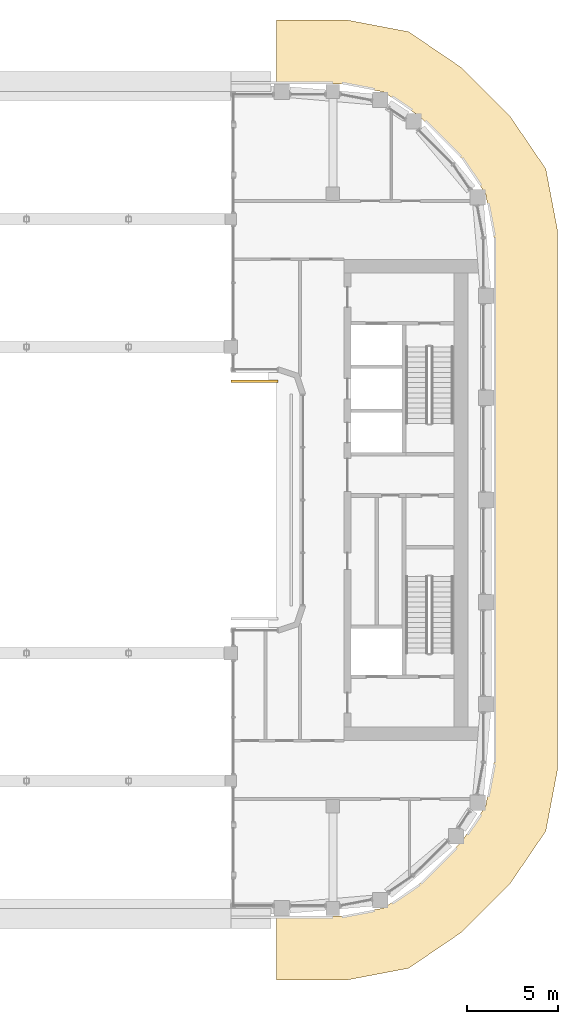
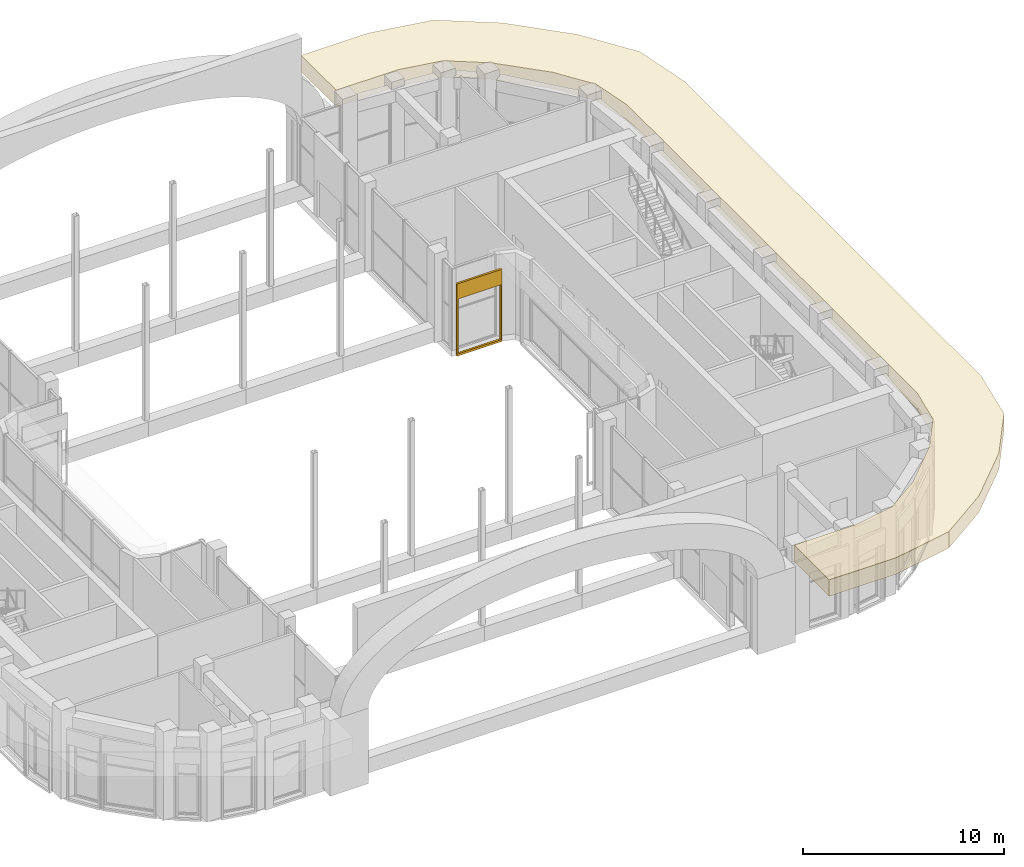
# One storey, part 24 of 26: 2 coverings.
"""IFC4 building model written with IfcOpenShell, lengths in metres."""

from ifc_helpers import new_model, si_unit, direction, frame, origin, place, context, subcontext, project, spatial, polyline, outline, extrude, material, layer, layer_set, type_object, element, save


model = new_model("IFC4")

# Units and contexts
model_context = context("Model", 3, precision=1e-05, world=origin(), true_north=direction((0.0, 1.0)))
body_context = subcontext(model_context, "Body", "Model", "MODEL_VIEW")
ifc_project = project(units=[si_unit("LENGTHUNIT", "METRE"), si_unit("AREAUNIT", "SQUARE_METRE"), si_unit("VOLUMEUNIT", "CUBIC_METRE"), si_unit("PLANEANGLEUNIT", "RADIAN"), si_unit("MASSUNIT", "GRAM", prefix="KILO")], contexts=[model_context])

# Site, building, storey
site_placement = place(None, origin())
site = spatial("IfcSite", under=ifc_project, at=site_placement, CompositionType="ELEMENT")
building_placement = place(site_placement, origin())
building = spatial("IfcBuilding", under=site, at=building_placement, Name="Kiln Ring Residences", CompositionType="ELEMENT")
storey_placement = place(building_placement, frame((0.0, 0.0, 230.89990234375)))
storey = spatial("IfcBuildingStorey", under=building, at=storey_placement, Name="L60", CompositionType="ELEMENT", Elevation=230.89990234375)

# Coverings
ifc_material_1 = material(Name="Brick masonry, dark clay brick", Category="masonry")
ifc_layer_1 = layer(ifc_material_1, 0.1201171875)
ifc_layer_set_1 = layer_set([ifc_layer_1], Name="RAINSCREEN PANEL 120")
covering_type_1 = type_object("IfcCoveringType", Name="RAINSCREEN PANEL 120", PredefinedType="CLADDING", material=ifc_layer_set_1)
covering_1_placement = place(storey_placement, frame((11.199951171875, 6.514892578125, 0.0), z_axis=(0.0, 0.0, 1.0), x_axis=(1.0, 0.0, 0.0)))
element("IfcCovering", 1, at=covering_1_placement, inside=storey, type_object=covering_type_1, Name="RAINSCREEN L60", PredefinedType="CLADDING", context=body_context, shape_type="SweptSolid", body=[
    extrude(outline(polyline([(0.0, 0.0), (2.60009765625, 0.0), (2.60009765625, 4.400146484375), (0.0, 4.400146484375), (0.0, 0.0)]), holes=[polyline([(0.080078125, 3.47021484375), (0.080078125, 0.130126953125), (2.52001953125, 0.130126953125), (2.52001953125, 3.47021484375), (0.080078125, 3.47021484375)])]), frame((0.0, 0.06005859375, 0.0), z_axis=(0.0, -1.0, 0.0), x_axis=(1.0, 0.0, 0.0)), (0.0, 0.0, 1.0), 0.1201171875),
])
ifc_material_2 = material(Name="Black powder-coated steel", Category="steel")
ifc_layer_2 = layer(ifc_material_2, 1.0)
ifc_layer_set_2 = layer_set([ifc_layer_2], Name="SUNSHADE FIN 3500")
covering_type_2 = type_object("IfcCoveringType", Name="SUNSHADE FIN 3500", PredefinedType="CLADDING", material=ifc_layer_set_2)
covering_2_placement = place(storey_placement, frame((0.0, 0.0, 4.400146484375)))
element("IfcCovering", 2, at=covering_2_placement, inside=storey, type_object=covering_type_2, Name="SUNSHADE FIN L60", PredefinedType="CLADDING", context=body_context, shape_type="SweptSolid", body=[
    extrude(outline(polyline([(17.571044921875, 26.324951171875), (13.699951171875, 26.324951171875), (13.699951171875, 22.824951171875), (17.240234375, 22.824951171875), (19.59033203125, 22.376708984375), (21.569091796875, 21.031982421875), (23.831787109375, 18.769287109375), (25.1767578125, 16.790283203125), (25.625, 14.440185546875), (25.625, -14.440185546875), (25.1767578125, -16.790283203125), (23.831787109375, -18.769287109375), (21.569091796875, -21.031982421875), (19.59033203125, -22.376708984375), (17.240234375, -22.824951171875), (13.699951171875, -22.824951171875), (13.699951171875, -26.324951171875), (17.571044921875, -26.324951171875), (20.958251953125, -25.678955078125), (23.81005859375, -23.74072265625), (26.540771484375, -21.010009765625), (28.47900390625, -18.158203125), (29.125, -14.77099609375), (29.125, 14.77099609375), (28.47900390625, 18.158203125), (26.540771484375, 21.010009765625), (23.81005859375, 23.74072265625), (20.958251953125, 25.678955078125), (17.571044921875, 26.324951171875)])), origin(), (0.0, 0.0, 1.0), 1.0),
])

save(model, "model.ifc")
